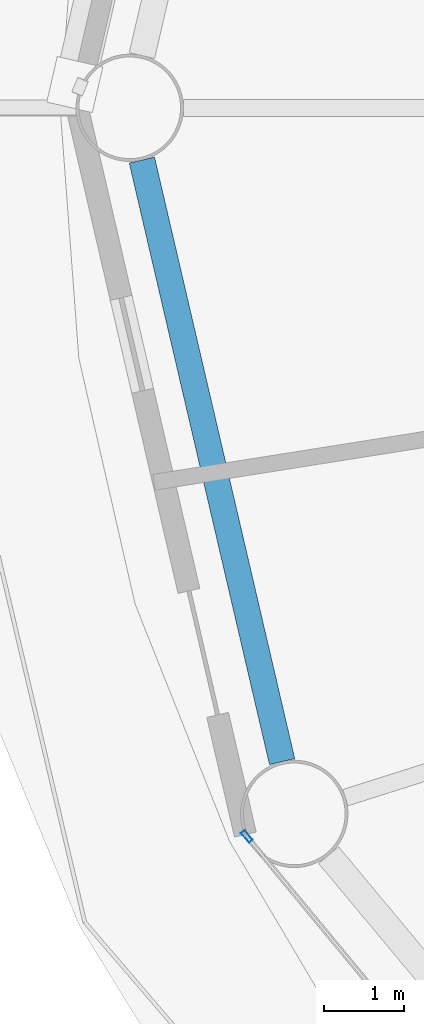
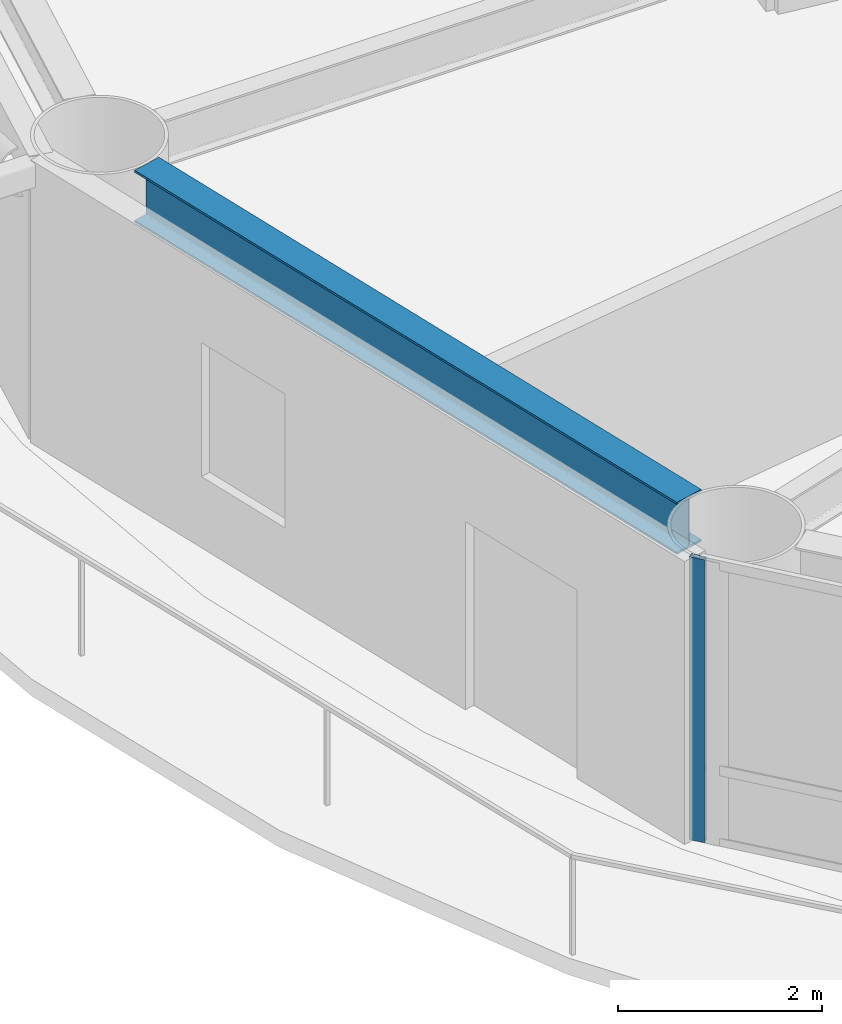
# One storey, part 4 of 26: 1 beam, 1 member, 1 element without a shape of its own.
"""IFC4 building model written with IfcOpenShell, lengths in metres."""

from ifc_helpers import new_model, si_unit, direction, frame, origin, origin_2d, place, context, subcontext, project, spatial, hollow_rectangle, i_section, extrude, material, layer, layer_set, material_profile, profile_set, type_object, element, aggregate, save


model = new_model("IFC4")

# Units and contexts
model_context = context("Model", 3, precision=1e-05, world=origin(), true_north=direction((0.0, 1.0)))
body_context = subcontext(model_context, "Body", "Model", "MODEL_VIEW")
ifc_project = project(units=[si_unit("LENGTHUNIT", "METRE"), si_unit("AREAUNIT", "SQUARE_METRE"), si_unit("VOLUMEUNIT", "CUBIC_METRE"), si_unit("PLANEANGLEUNIT", "RADIAN"), si_unit("MASSUNIT", "GRAM", prefix="KILO")], contexts=[model_context])

# Site, building, storey
site_placement = place(None, origin())
site = spatial("IfcSite", under=ifc_project, at=site_placement, CompositionType="ELEMENT")
building_placement = place(site_placement, origin())
building = spatial("IfcBuilding", under=site, at=building_placement, Name="Sarneth Arch Tower", CompositionType="ELEMENT")
storey_placement = place(building_placement, frame((0.0, 0.0, 60.60009765625)))
storey = spatial("IfcBuildingStorey", under=building, at=storey_placement, Name="L14", CompositionType="ELEMENT", Elevation=60.60009765625)

# Beam
ifc_material_1 = material(Name="Steel S355", Category="steel")
ifc_material_profile_1 = material_profile(ifc_material_1, i_section(OverallWidth=0.326904296875, OverallDepth=0.6220703125, WebThickness=0.015380859375, FlangeThickness=0.0244140625, FilletRadius=0.01904296875, at=origin_2d()), Name="W610x195")
ifc_profile_set_1 = profile_set([ifc_material_profile_1], Name="Steel S355")
beam_type = type_object("IfcBeamType", Name="BM-SPAN-610A", PredefinedType="SPANDREL", material=ifc_profile_set_1)
beam_placement = place(storey_placement, frame((18.118408203125, 41.342529296875, 3.06884765625), z_axis=(0.227001042423, -0.973894515201, 0.0), x_axis=(0.973894515201, 0.227001042423, 0.0)))
element("IfcBeam", 1, at=beam_placement, inside=storey, type_object=beam_type, Name="L14 Perimeter spandrel beam 09", PredefinedType="SPANDREL", context=body_context, shape_type="SweptSolid", body=[
    extrude(i_section(OverallWidth=0.326904296875, OverallDepth=0.6220703125, WebThickness=0.015380859375, FlangeThickness=0.0244140625, FilletRadius=0.01904296875, at=origin_2d()), origin(), (0.0, 0.0, 1.0), 7.76611328125),
])

# Curtain wall, member
ifc_material_2 = material(Name="Anodised aluminium Type AA25 and solar-control low-e laminated IGU", Category="aluminium")
ifc_layer = layer(ifc_material_2, 0.159912109375)
ifc_layer_set = layer_set([ifc_layer], Name="Anodised aluminium Type AA25 and solar-control low-e laminated IGU")
curtain_wall_type = type_object("IfcCurtainWallType", Name="CW-HOTEL-LOW", PredefinedType="NOTDEFINED", material=ifc_layer_set)
curtain_wall_placement = place(storey_placement, origin())
curtain_wall = element("IfcCurtainWall", 2, at=curtain_wall_placement, inside=storey, type_object=curtain_wall_type, Name="L14 Unitised curtain wall facet 10", PredefinedType="NOTDEFINED")
ifc_material_3 = material(Name="Anodised Aluminium 6063-T6", Category="aluminium")
ifc_material_profile_2 = material_profile(ifc_material_3, hollow_rectangle(XDim=0.06005859375, YDim=0.159912109375, WallThickness=0.00390625, at=origin_2d()), Name="AL-MULL-160x60x4")
ifc_profile_set_2 = profile_set([ifc_material_profile_2], Name="Anodised Aluminium 6063-T6")
member_type = type_object("IfcMemberType", Name="CW-MULLION", PredefinedType="MULLION", material=ifc_profile_set_2)
member_placement = place(storey_placement, frame((19.438232421875, 32.83837890625, 0.0), z_axis=(0.0, 0.0, 1.0), x_axis=(0.770622960278, 0.637291340827, 0.0)))
member = element("IfcMember", 3, at=member_placement, type_object=member_type, Name="CW-SYS-3 mullion 1", PredefinedType="MULLION", context=body_context, shape_type="SweptSolid", body=[
    extrude(hollow_rectangle(XDim=0.06005859375, YDim=0.159912109375, WallThickness=0.00390625, at=origin_2d()), origin(), (0.0, 0.0, 1.0), 3.3798828125),
])
aggregate(curtain_wall, [member])

save(model, "model.ifc")
